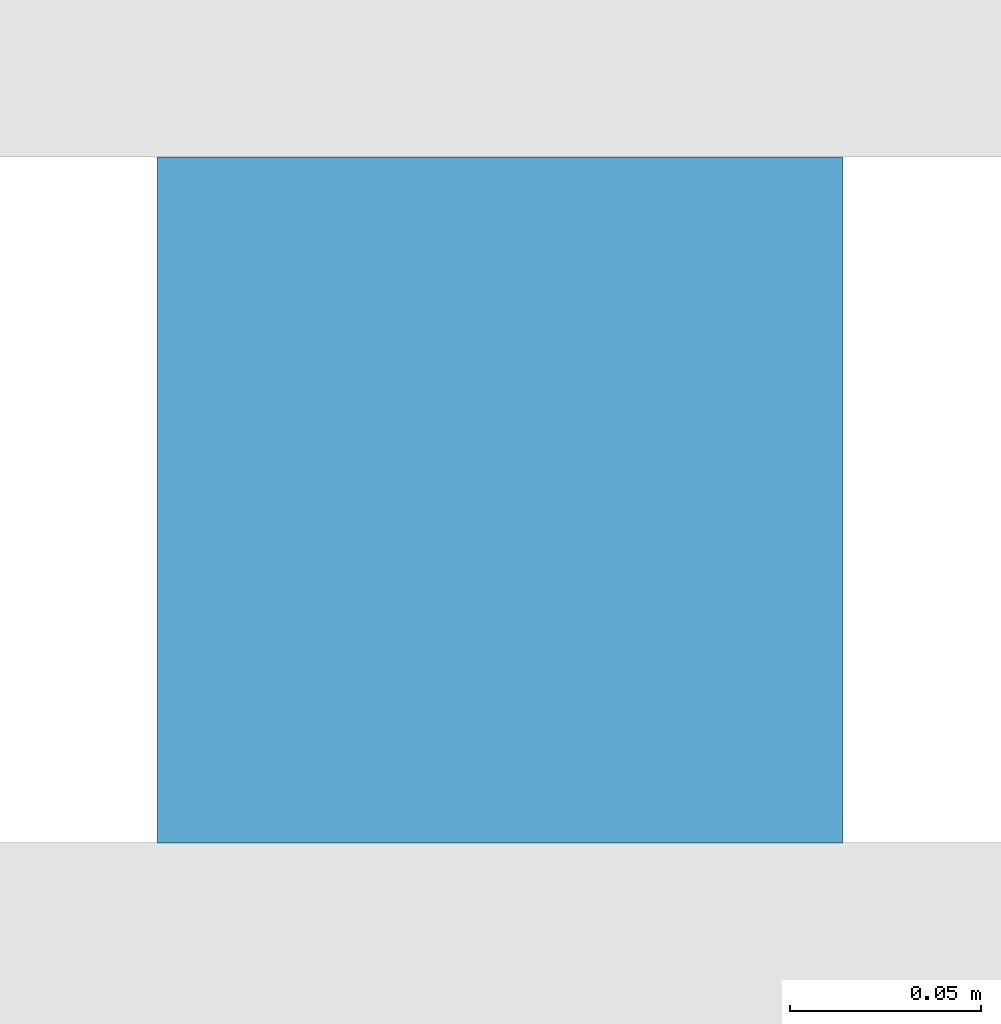
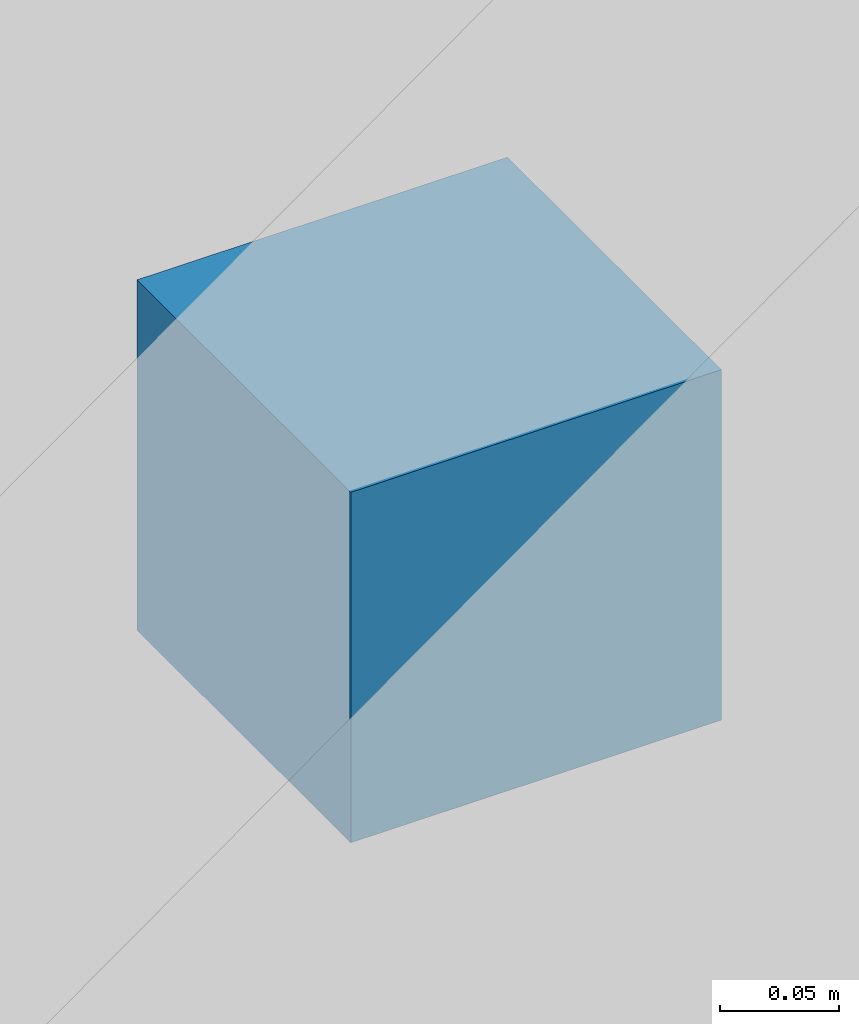
# One storey, part 76 of 92: 1 discrete accessory.
"""IFC4 building model written with IfcOpenShell, lengths in metres."""

from ifc_helpers import new_model, si_unit, direction, frame, origin, origin_2d, place, context, subcontext, project, spatial, rectangle, extrude, material, type_object, element, save


model = new_model("IFC4")

# Units and contexts
model_context = context("Model", 3, precision=1e-05, world=origin(), true_north=direction((0.0, 1.0)))
body_context = subcontext(model_context, "Body", "Model", "MODEL_VIEW")
ifc_project = project(units=[si_unit("LENGTHUNIT", "METRE"), si_unit("AREAUNIT", "SQUARE_METRE"), si_unit("VOLUMEUNIT", "CUBIC_METRE"), si_unit("PLANEANGLEUNIT", "RADIAN"), si_unit("MASSUNIT", "GRAM", prefix="KILO")], contexts=[model_context])

# Site, building, storey
site_placement = place(None, origin())
site = spatial("IfcSite", under=ifc_project, at=site_placement, CompositionType="ELEMENT")
building_placement = place(site_placement, origin())
building = spatial("IfcBuilding", under=site, at=building_placement, Name="Solanera Park Tramway Depot", CompositionType="ELEMENT")
storey_placement = place(building_placement, frame((0.0, 0.0, 4.800048828125)))
storey = spatial("IfcBuildingStorey", under=building, at=storey_placement, Name="L01", CompositionType="ELEMENT", Elevation=4.800048828125)

# Discrete accessory
ifc_material = material(Name="Steel AS/NZS 3679.1 Grade 350", Category="steel")
discrete_accessory_type = type_object("IfcDiscreteAccessoryType", Name="Facade Sunshade Fixing Bracket 180x180", PredefinedType="BRACKET", material=ifc_material)
discrete_accessory_placement = place(storey_placement, frame((190.22509765625, 6.969970703125, 1.68017578125), z_axis=(0.0, 0.0, 1.0), x_axis=(1.0, 0.0, 0.0)))
element("IfcDiscreteAccessory", 1, at=discrete_accessory_placement, inside=storey, type_object=discrete_accessory_type, Name="Jalousie Bracket #036", PredefinedType="BRACKET", context=body_context, shape_type="SweptSolid", body=[
    extrude(rectangle(XDim=0.179931640625, YDim=0.179931640625, at=origin_2d()), origin(), (0.0, 0.0, 1.0), 0.179931640625),
])

save(model, "model.ifc")
